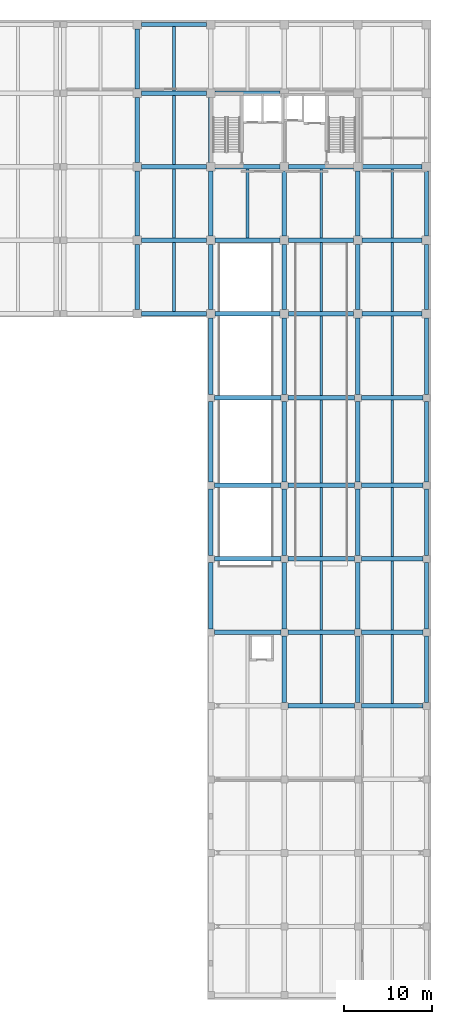
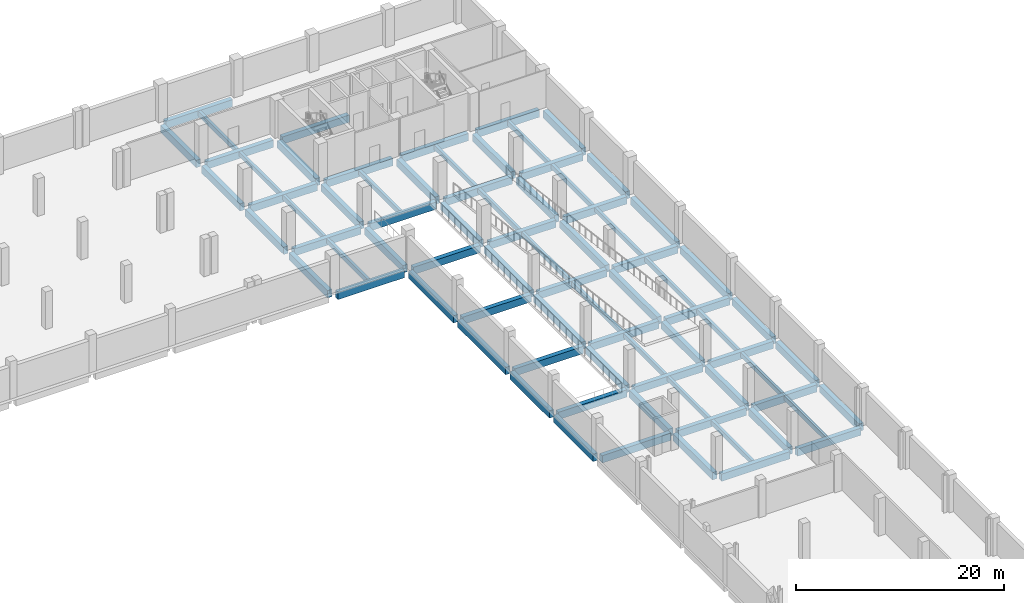
# One storey, part 7 of 17: 80 beams.
"""IFC4 building model written with IfcOpenShell, lengths in metres."""

from ifc_helpers import new_model, si_unit, direction, frame, origin, origin_2d, place, context, subcontext, project, spatial, rectangle, extrude, material, material_profile, profile_set, type_object, element, save


model = new_model("IFC4")

# Units and contexts
model_context = context("Model", 3, precision=1e-05, world=origin(), true_north=direction((0.0, 1.0)))
body_context = subcontext(model_context, "Body", "Model", "MODEL_VIEW")
ifc_project = project(units=[si_unit("LENGTHUNIT", "METRE"), si_unit("AREAUNIT", "SQUARE_METRE"), si_unit("VOLUMEUNIT", "CUBIC_METRE"), si_unit("PLANEANGLEUNIT", "RADIAN"), si_unit("MASSUNIT", "GRAM", prefix="KILO")], contexts=[model_context])

# Site, building, storey
site_placement = place(None, origin())
site = spatial("IfcSite", under=ifc_project, at=site_placement, CompositionType="ELEMENT")
building_placement = place(site_placement, origin())
building = spatial("IfcBuilding", under=site, at=building_placement, Name="Brinegate Botanical Conservatory", CompositionType="ELEMENT")
storey_placement = place(building_placement, frame((0.0, 0.0, -4.800048828125)))
storey = spatial("IfcBuildingStorey", under=building, at=storey_placement, Name="B1", CompositionType="ELEMENT", Elevation=-4.800048828125)

# Beams
ifc_material = material(Name="Concrete C40/50", Category="concrete")
ifc_material_profile_1 = material_profile(ifc_material, rectangle(XDim=0.5, YDim=0.85009765625, at=origin_2d()), Name="RC BM 500x850")
ifc_profile_set_1 = profile_set([ifc_material_profile_1], Name="Concrete C40/50")
beam_type_1 = type_object("IfcBeamType", Name="Beam_BM-B1", PredefinedType="BEAM", material=ifc_profile_set_1)
beam_1_placement = place(storey_placement, frame((147.60009765625, 33.60009765625, -0.744873046875), z_axis=(1.0, 0.0, 0.0), x_axis=(0.0, 1.0, 0.0)))
element("IfcBeam", 1, at=beam_1_placement, inside=storey, type_object=beam_type_1, Name="Beam BM-B1 B1 E:19-20", PredefinedType="BEAM", context=body_context, shape_type="SweptSolid", body=[
    extrude(rectangle(XDim=0.5, YDim=0.85009765625, at=origin_2d()), origin(), (0.0, 0.0, 1.0), 7.599853515625),
])
beam_2_placement = place(storey_placement, frame((156.0, 33.60009765625, -0.744873046875), z_axis=(1.0, 0.0, 0.0), x_axis=(0.0, 1.0, 0.0)))
element("IfcBeam", 2, at=beam_2_placement, inside=storey, type_object=beam_type_1, Name="Beam BM-B1 B1 E:20-21", PredefinedType="BEAM", context=body_context, shape_type="SweptSolid", body=[
    extrude(rectangle(XDim=0.5, YDim=0.85009765625, at=origin_2d()), origin(), (0.0, 0.0, 1.0), 7.050048828125),
])
beam_3_placement = place(storey_placement, frame((139.199951171875, 42.0, -0.744873046875), z_axis=(1.0, 0.0, 0.0), x_axis=(0.0, 1.0, 0.0)))
element("IfcBeam", 3, at=beam_3_placement, inside=storey, type_object=beam_type_1, Name="Beam BM-B1 B1 F:18-19", PredefinedType="BEAM", context=body_context, shape_type="SweptSolid", body=[
    extrude(rectangle(XDim=0.5, YDim=0.85009765625, at=origin_2d()), origin(), (0.0, 0.0, 1.0), 7.60009765625),
])
beam_4_placement = place(storey_placement, frame((147.60009765625, 42.0, -0.744873046875), z_axis=(1.0, 0.0, 0.0), x_axis=(0.0, 1.0, 0.0)))
element("IfcBeam", 4, at=beam_4_placement, inside=storey, type_object=beam_type_1, Name="Beam BM-B1 B1 F:19-20", PredefinedType="BEAM", context=body_context, shape_type="SweptSolid", body=[
    extrude(rectangle(XDim=0.5, YDim=0.85009765625, at=origin_2d()), origin(), (0.0, 0.0, 1.0), 7.599853515625),
])
beam_5_placement = place(storey_placement, frame((156.0, 42.0, -0.744873046875), z_axis=(1.0, 0.0, 0.0), x_axis=(0.0, 1.0, 0.0)))
element("IfcBeam", 5, at=beam_5_placement, inside=storey, type_object=beam_type_1, Name="Beam BM-B1 B1 F:20-21", PredefinedType="BEAM", context=body_context, shape_type="SweptSolid", body=[
    extrude(rectangle(XDim=0.5, YDim=0.85009765625, at=origin_2d()), origin(), (0.0, 0.0, 1.0), 7.050048828125),
])
beam_6_placement = place(storey_placement, frame((139.199951171875, 50.39990234375, -0.744873046875), z_axis=(1.0, 0.0, 0.0), x_axis=(0.0, 1.0, 0.0)))
element("IfcBeam", 6, at=beam_6_placement, inside=storey, type_object=beam_type_1, Name="Beam BM-B1 B1 G:18-19", PredefinedType="BEAM", context=body_context, shape_type="SweptSolid", body=[
    extrude(rectangle(XDim=0.5, YDim=0.85009765625, at=origin_2d()), origin(), (0.0, 0.0, 1.0), 7.60009765625),
])
beam_7_placement = place(storey_placement, frame((147.60009765625, 50.39990234375, -0.744873046875), z_axis=(1.0, 0.0, 0.0), x_axis=(0.0, 1.0, 0.0)))
element("IfcBeam", 7, at=beam_7_placement, inside=storey, type_object=beam_type_1, Name="Beam BM-B1 B1 G:19-20", PredefinedType="BEAM", context=body_context, shape_type="SweptSolid", body=[
    extrude(rectangle(XDim=0.5, YDim=0.85009765625, at=origin_2d()), origin(), (0.0, 0.0, 1.0), 7.599853515625),
])
beam_8_placement = place(storey_placement, frame((156.0, 50.39990234375, -0.744873046875), z_axis=(1.0, 0.0, 0.0), x_axis=(0.0, 1.0, 0.0)))
element("IfcBeam", 8, at=beam_8_placement, inside=storey, type_object=beam_type_1, Name="Beam BM-B1 B1 G:20-21", PredefinedType="BEAM", context=body_context, shape_type="SweptSolid", body=[
    extrude(rectangle(XDim=0.5, YDim=0.85009765625, at=origin_2d()), origin(), (0.0, 0.0, 1.0), 7.050048828125),
])
beam_9_placement = place(storey_placement, frame((139.199951171875, 58.800048828125, -0.744873046875), z_axis=(1.0, 0.0, 0.0), x_axis=(0.0, 1.0, 0.0)))
element("IfcBeam", 9, at=beam_9_placement, inside=storey, type_object=beam_type_1, Name="Beam BM-B1 B1 H:18-19", PredefinedType="BEAM", context=body_context, shape_type="SweptSolid", body=[
    extrude(rectangle(XDim=0.5, YDim=0.85009765625, at=origin_2d()), origin(), (0.0, 0.0, 1.0), 7.60009765625),
])
beam_10_placement = place(storey_placement, frame((147.60009765625, 58.800048828125, -0.744873046875), z_axis=(1.0, 0.0, 0.0), x_axis=(0.0, 1.0, 0.0)))
element("IfcBeam", 10, at=beam_10_placement, inside=storey, type_object=beam_type_1, Name="Beam BM-B1 B1 H:19-20", PredefinedType="BEAM", context=body_context, shape_type="SweptSolid", body=[
    extrude(rectangle(XDim=0.5, YDim=0.85009765625, at=origin_2d()), origin(), (0.0, 0.0, 1.0), 7.599853515625),
])
beam_11_placement = place(storey_placement, frame((156.0, 58.800048828125, -0.744873046875), z_axis=(1.0, 0.0, 0.0), x_axis=(0.0, 1.0, 0.0)))
element("IfcBeam", 11, at=beam_11_placement, inside=storey, type_object=beam_type_1, Name="Beam BM-B1 B1 H:20-21", PredefinedType="BEAM", context=body_context, shape_type="SweptSolid", body=[
    extrude(rectangle(XDim=0.5, YDim=0.85009765625, at=origin_2d()), origin(), (0.0, 0.0, 1.0), 7.050048828125),
])
beam_12_placement = place(storey_placement, frame((139.199951171875, 68.800048828125, -0.744873046875), z_axis=(1.0, 0.0, 0.0), x_axis=(0.0, 1.0, 0.0)))
element("IfcBeam", 12, at=beam_12_placement, inside=storey, type_object=beam_type_1, Name="Beam BM-B1 B1 J:18-19", PredefinedType="BEAM", context=body_context, shape_type="SweptSolid", body=[
    extrude(rectangle(XDim=0.5, YDim=0.85009765625, at=origin_2d()), origin(), (0.0, 0.0, 1.0), 7.60009765625),
])
beam_13_placement = place(storey_placement, frame((147.60009765625, 68.800048828125, -0.744873046875), z_axis=(1.0, 0.0, 0.0), x_axis=(0.0, 1.0, 0.0)))
element("IfcBeam", 13, at=beam_13_placement, inside=storey, type_object=beam_type_1, Name="Beam BM-B1 B1 J:19-20", PredefinedType="BEAM", context=body_context, shape_type="SweptSolid", body=[
    extrude(rectangle(XDim=0.5, YDim=0.85009765625, at=origin_2d()), origin(), (0.0, 0.0, 1.0), 7.599853515625),
])
beam_14_placement = place(storey_placement, frame((156.0, 68.800048828125, -0.744873046875), z_axis=(1.0, 0.0, 0.0), x_axis=(0.0, 1.0, 0.0)))
element("IfcBeam", 14, at=beam_14_placement, inside=storey, type_object=beam_type_1, Name="Beam BM-B1 B1 J:20-21", PredefinedType="BEAM", context=body_context, shape_type="SweptSolid", body=[
    extrude(rectangle(XDim=0.5, YDim=0.85009765625, at=origin_2d()), origin(), (0.0, 0.0, 1.0), 7.050048828125),
])
beam_15_placement = place(storey_placement, frame((130.89990234375, 78.39990234375, -0.744873046875), z_axis=(1.0, 0.0, 0.0), x_axis=(0.0, 1.0, 0.0)))
element("IfcBeam", 15, at=beam_15_placement, inside=storey, type_object=beam_type_1, Name="Beam BM-B1 B1 K:17-18", PredefinedType="BEAM", context=body_context, shape_type="SweptSolid", body=[
    extrude(rectangle(XDim=0.5, YDim=0.85009765625, at=origin_2d()), origin(), (0.0, 0.0, 1.0), 7.400146484375),
])
beam_16_placement = place(storey_placement, frame((139.300048828125, 78.39990234375, -0.744873046875), z_axis=(1.0, 0.0, 0.0), x_axis=(0.0, 1.0, 0.0)))
element("IfcBeam", 16, at=beam_16_placement, inside=storey, type_object=beam_type_1, Name="Beam BM-B1 B1 K:18-19", PredefinedType="BEAM", context=body_context, shape_type="SweptSolid", body=[
    extrude(rectangle(XDim=0.5, YDim=0.85009765625, at=origin_2d()), origin(), (0.0, 0.0, 1.0), 7.39990234375),
])
beam_17_placement = place(storey_placement, frame((147.699951171875, 78.39990234375, -0.744873046875), z_axis=(1.0, 0.0, 0.0), x_axis=(0.0, 1.0, 0.0)))
element("IfcBeam", 17, at=beam_17_placement, inside=storey, type_object=beam_type_1, Name="Beam BM-B1 B1 K:19-20", PredefinedType="BEAM", context=body_context, shape_type="SweptSolid", body=[
    extrude(rectangle(XDim=0.5, YDim=0.85009765625, at=origin_2d()), origin(), (0.0, 0.0, 1.0), 7.400146484375),
])
beam_18_placement = place(storey_placement, frame((156.10009765625, 78.39990234375, -0.744873046875), z_axis=(1.0, 0.0, 0.0), x_axis=(0.0, 1.0, 0.0)))
element("IfcBeam", 18, at=beam_18_placement, inside=storey, type_object=beam_type_1, Name="Beam BM-B1 B1 K:20-21", PredefinedType="BEAM", context=body_context, shape_type="SweptSolid", body=[
    extrude(rectangle(XDim=0.5, YDim=0.85009765625, at=origin_2d()), origin(), (0.0, 0.0, 1.0), 6.849853515625),
])
beam_19_placement = place(storey_placement, frame((130.89990234375, 86.800048828125, -0.744873046875), z_axis=(1.0, 0.0, 0.0), x_axis=(0.0, 1.0, 0.0)))
element("IfcBeam", 19, at=beam_19_placement, inside=storey, type_object=beam_type_1, Name="Beam BM-B1 B1 L:17-18", PredefinedType="BEAM", context=body_context, shape_type="SweptSolid", body=[
    extrude(rectangle(XDim=0.5, YDim=0.85009765625, at=origin_2d()), origin(), (0.0, 0.0, 1.0), 7.400146484375),
])
beam_20_placement = place(storey_placement, frame((139.300048828125, 86.800048828125, -0.744873046875), z_axis=(1.0, 0.0, 0.0), x_axis=(0.0, 1.0, 0.0)))
element("IfcBeam", 20, at=beam_20_placement, inside=storey, type_object=beam_type_1, Name="Beam BM-B1 B1 L:18-19", PredefinedType="BEAM", context=body_context, shape_type="SweptSolid", body=[
    extrude(rectangle(XDim=0.5, YDim=0.85009765625, at=origin_2d()), origin(), (0.0, 0.0, 1.0), 7.39990234375),
])
beam_21_placement = place(storey_placement, frame((147.699951171875, 86.800048828125, -0.744873046875), z_axis=(1.0, 0.0, 0.0), x_axis=(0.0, 1.0, 0.0)))
element("IfcBeam", 21, at=beam_21_placement, inside=storey, type_object=beam_type_1, Name="Beam BM-B1 B1 L:19-20", PredefinedType="BEAM", context=body_context, shape_type="SweptSolid", body=[
    extrude(rectangle(XDim=0.5, YDim=0.85009765625, at=origin_2d()), origin(), (0.0, 0.0, 1.0), 7.400146484375),
])
beam_22_placement = place(storey_placement, frame((156.10009765625, 86.800048828125, -0.744873046875), z_axis=(1.0, 0.0, 0.0), x_axis=(0.0, 1.0, 0.0)))
element("IfcBeam", 22, at=beam_22_placement, inside=storey, type_object=beam_type_1, Name="Beam BM-B1 B1 L:20-21", PredefinedType="BEAM", context=body_context, shape_type="SweptSolid", body=[
    extrude(rectangle(XDim=0.5, YDim=0.85009765625, at=origin_2d()), origin(), (0.0, 0.0, 1.0), 6.849853515625),
])
beam_23_placement = place(storey_placement, frame((130.89990234375, 95.199951171875, -0.744873046875), z_axis=(1.0, 0.0, 0.0), x_axis=(0.0, 1.0, 0.0)))
element("IfcBeam", 23, at=beam_23_placement, inside=storey, type_object=beam_type_1, Name="Beam BM-B1 B1 M:17-18", PredefinedType="BEAM", context=body_context, shape_type="SweptSolid", body=[
    extrude(rectangle(XDim=0.5, YDim=0.85009765625, at=origin_2d()), origin(), (0.0, 0.0, 1.0), 7.400146484375),
])
beam_24_placement = place(storey_placement, frame((139.300048828125, 95.199951171875, -0.744873046875), z_axis=(1.0, 0.0, 0.0), x_axis=(0.0, 1.0, 0.0)))
element("IfcBeam", 24, at=beam_24_placement, inside=storey, type_object=beam_type_1, Name="Beam BM-B1 B1 M:18-19", PredefinedType="BEAM", context=body_context, shape_type="SweptSolid", body=[
    extrude(rectangle(XDim=0.5, YDim=0.85009765625, at=origin_2d()), origin(), (0.0, 0.0, 1.0), 7.39990234375),
])
beam_25_placement = place(storey_placement, frame((147.699951171875, 95.199951171875, -0.744873046875), z_axis=(1.0, 0.0, 0.0), x_axis=(0.0, 1.0, 0.0)))
element("IfcBeam", 25, at=beam_25_placement, inside=storey, type_object=beam_type_1, Name="Beam BM-B1 B1 M:19-20", PredefinedType="BEAM", context=body_context, shape_type="SweptSolid", body=[
    extrude(rectangle(XDim=0.5, YDim=0.85009765625, at=origin_2d()), origin(), (0.0, 0.0, 1.0), 7.400146484375),
])
beam_26_placement = place(storey_placement, frame((156.10009765625, 95.199951171875, -0.744873046875), z_axis=(1.0, 0.0, 0.0), x_axis=(0.0, 1.0, 0.0)))
element("IfcBeam", 26, at=beam_26_placement, inside=storey, type_object=beam_type_1, Name="Beam BM-B1 B1 M:20-21", PredefinedType="BEAM", context=body_context, shape_type="SweptSolid", body=[
    extrude(rectangle(XDim=0.5, YDim=0.85009765625, at=origin_2d()), origin(), (0.0, 0.0, 1.0), 6.849853515625),
])
beam_27_placement = place(storey_placement, frame((130.89990234375, 103.60009765625, -0.744873046875), z_axis=(1.0, 0.0, 0.0), x_axis=(0.0, 1.0, 0.0)))
element("IfcBeam", 27, at=beam_27_placement, inside=storey, type_object=beam_type_1, Name="Beam BM-B1 B1 N:17-18", PredefinedType="BEAM", context=body_context, shape_type="SweptSolid", body=[
    extrude(rectangle(XDim=0.5, YDim=0.85009765625, at=origin_2d()), origin(), (0.0, 0.0, 1.0), 7.400146484375),
])
beam_28_placement = place(storey_placement, frame((139.300048828125, 103.60009765625, -0.744873046875), z_axis=(1.0, 0.0, 0.0), x_axis=(0.0, 1.0, 0.0)))
element("IfcBeam", 28, at=beam_28_placement, inside=storey, type_object=beam_type_1, Name="Beam BM-B1 B1 N:18-19", PredefinedType="BEAM", context=body_context, shape_type="SweptSolid", body=[
    extrude(rectangle(XDim=0.5, YDim=0.85009765625, at=origin_2d()), origin(), (0.0, 0.0, 1.0), 7.39990234375),
])
for number, where, z_axis, x_axis, name in (
    (29, (130.89990234375, 111.449951171875, -0.744873046875), (1.0, 0.0, 0.0), (0.0, 1.0, 0.0), "Beam BM-B1 B1 P:17-18"),
    (30, (130.39990234375, 78.89990234375, -0.744873046875), (0.0, 1.0, 0.0), (-1.0, 0.0, 0.0), "Beam BM-B1 B1 17:K-L"),
):
    element("IfcBeam", number, at=place(storey_placement, frame(where, z_axis=z_axis, x_axis=x_axis)), inside=storey, type_object=beam_type_1, Name=name, PredefinedType="BEAM", context=body_context, shape_type="SweptSolid", body=[
        extrude(rectangle(XDim=0.5, YDim=0.85009765625, at=origin_2d()), origin(), (0.0, 0.0, 1.0), 7.400146484375),
    ])
beam_29_placement = place(storey_placement, frame((130.39990234375, 87.300048828125, -0.744873046875), z_axis=(0.0, 1.0, 0.0), x_axis=(-1.0, 0.0, 0.0)))
element("IfcBeam", 31, at=beam_29_placement, inside=storey, type_object=beam_type_1, Name="Beam BM-B1 B1 17:L-M", PredefinedType="BEAM", context=body_context, shape_type="SweptSolid", body=[
    extrude(rectangle(XDim=0.5, YDim=0.85009765625, at=origin_2d()), origin(), (0.0, 0.0, 1.0), 7.39990234375),
])
beam_30_placement = place(storey_placement, frame((130.39990234375, 95.699951171875, -0.744873046875), z_axis=(0.0, 1.0, 0.0), x_axis=(-1.0, 0.0, 0.0)))
element("IfcBeam", 32, at=beam_30_placement, inside=storey, type_object=beam_type_1, Name="Beam BM-B1 B1 17:M-N", PredefinedType="BEAM", context=body_context, shape_type="SweptSolid", body=[
    extrude(rectangle(XDim=0.5, YDim=0.85009765625, at=origin_2d()), origin(), (0.0, 0.0, 1.0), 7.400146484375),
])
beam_31_placement = place(storey_placement, frame((130.39990234375, 104.10009765625, -0.744873046875), z_axis=(0.0, 1.0, 0.0), x_axis=(-1.0, 0.0, 0.0)))
element("IfcBeam", 33, at=beam_31_placement, inside=storey, type_object=beam_type_1, Name="Beam BM-B1 B1 17:N-P", PredefinedType="BEAM", context=body_context, shape_type="SweptSolid", body=[
    extrude(rectangle(XDim=0.5, YDim=0.85009765625, at=origin_2d()), origin(), (0.0, 0.0, 1.0), 6.849853515625),
])
beam_32_placement = place(storey_placement, frame((138.800048828125, 42.39990234375, -0.744873046875), z_axis=(0.0, 1.0, 0.0), x_axis=(-1.0, 0.0, 0.0)))
element("IfcBeam", 34, at=beam_32_placement, inside=storey, type_object=beam_type_1, Name="Beam BM-B1 B1 18:F-G", PredefinedType="BEAM", context=body_context, shape_type="SweptSolid", body=[
    extrude(rectangle(XDim=0.5, YDim=0.85009765625, at=origin_2d()), origin(), (0.0, 0.0, 1.0), 7.60009765625),
])
beam_33_placement = place(storey_placement, frame((138.800048828125, 50.800048828125, -0.744873046875), z_axis=(0.0, 1.0, 0.0), x_axis=(-1.0, 0.0, 0.0)))
element("IfcBeam", 35, at=beam_33_placement, inside=storey, type_object=beam_type_1, Name="Beam BM-B1 B1 18:G-H", PredefinedType="BEAM", context=body_context, shape_type="SweptSolid", body=[
    extrude(rectangle(XDim=0.5, YDim=0.85009765625, at=origin_2d()), origin(), (0.0, 0.0, 1.0), 7.599853515625),
])
beam_34_placement = place(storey_placement, frame((138.800048828125, 59.199951171875, -0.744873046875), z_axis=(0.0, 1.0, 0.0), x_axis=(-1.0, 0.0, 0.0)))
element("IfcBeam", 36, at=beam_34_placement, inside=storey, type_object=beam_type_1, Name="Beam BM-B1 B1 18:H-J", PredefinedType="BEAM", context=body_context, shape_type="SweptSolid", body=[
    extrude(rectangle(XDim=0.5, YDim=0.85009765625, at=origin_2d()), origin(), (0.0, 0.0, 1.0), 9.199951171875),
])
beam_35_placement = place(storey_placement, frame((138.800048828125, 69.199951171875, -0.744873046875), z_axis=(0.0, 1.0, 0.0), x_axis=(-1.0, 0.0, 0.0)))
element("IfcBeam", 37, at=beam_35_placement, inside=storey, type_object=beam_type_1, Name="Beam BM-B1 B1 18:J-K", PredefinedType="BEAM", context=body_context, shape_type="SweptSolid", body=[
    extrude(rectangle(XDim=0.5, YDim=0.85009765625, at=origin_2d()), origin(), (0.0, 0.0, 1.0), 8.699951171875),
])
beam_36_placement = place(storey_placement, frame((138.800048828125, 78.89990234375, -0.744873046875), z_axis=(0.0, 1.0, 0.0), x_axis=(-1.0, 0.0, 0.0)))
element("IfcBeam", 38, at=beam_36_placement, inside=storey, type_object=beam_type_1, Name="Beam BM-B1 B1 18:K-L", PredefinedType="BEAM", context=body_context, shape_type="SweptSolid", body=[
    extrude(rectangle(XDim=0.5, YDim=0.85009765625, at=origin_2d()), origin(), (0.0, 0.0, 1.0), 7.400146484375),
])
beam_37_placement = place(storey_placement, frame((138.800048828125, 87.300048828125, -0.744873046875), z_axis=(0.0, 1.0, 0.0), x_axis=(-1.0, 0.0, 0.0)))
element("IfcBeam", 39, at=beam_37_placement, inside=storey, type_object=beam_type_1, Name="Beam BM-B1 B1 18:L-M", PredefinedType="BEAM", context=body_context, shape_type="SweptSolid", body=[
    extrude(rectangle(XDim=0.5, YDim=0.85009765625, at=origin_2d()), origin(), (0.0, 0.0, 1.0), 7.39990234375),
])
beam_38_placement = place(storey_placement, frame((138.800048828125, 95.699951171875, -0.744873046875), z_axis=(0.0, 1.0, 0.0), x_axis=(-1.0, 0.0, 0.0)))
element("IfcBeam", 40, at=beam_38_placement, inside=storey, type_object=beam_type_1, Name="Beam BM-B1 B1 18:M-N", PredefinedType="BEAM", context=body_context, shape_type="SweptSolid", body=[
    extrude(rectangle(XDim=0.5, YDim=0.85009765625, at=origin_2d()), origin(), (0.0, 0.0, 1.0), 7.400146484375),
])
for number, where, z_axis, x_axis, name in (
    (41, (147.199951171875, 34.0, -0.744873046875), (0.0, 1.0, 0.0), (-1.0, 0.0, 0.0), "Beam BM-B1 B1 19:E-F"),
    (42, (147.199951171875, 42.39990234375, -0.744873046875), (0.0, 1.0, 0.0), (-1.0, 0.0, 0.0), "Beam BM-B1 B1 19:F-G"),
):
    element("IfcBeam", number, at=place(storey_placement, frame(where, z_axis=z_axis, x_axis=x_axis)), inside=storey, type_object=beam_type_1, Name=name, PredefinedType="BEAM", context=body_context, shape_type="SweptSolid", body=[
        extrude(rectangle(XDim=0.5, YDim=0.85009765625, at=origin_2d()), origin(), (0.0, 0.0, 1.0), 7.60009765625),
    ])
beam_39_placement = place(storey_placement, frame((147.199951171875, 50.800048828125, -0.744873046875), z_axis=(0.0, 1.0, 0.0), x_axis=(-1.0, 0.0, 0.0)))
element("IfcBeam", 43, at=beam_39_placement, inside=storey, type_object=beam_type_1, Name="Beam BM-B1 B1 19:G-H", PredefinedType="BEAM", context=body_context, shape_type="SweptSolid", body=[
    extrude(rectangle(XDim=0.5, YDim=0.85009765625, at=origin_2d()), origin(), (0.0, 0.0, 1.0), 7.599853515625),
])
beam_40_placement = place(storey_placement, frame((147.199951171875, 59.199951171875, -0.744873046875), z_axis=(0.0, 1.0, 0.0), x_axis=(-1.0, 0.0, 0.0)))
element("IfcBeam", 44, at=beam_40_placement, inside=storey, type_object=beam_type_1, Name="Beam BM-B1 B1 19:H-J", PredefinedType="BEAM", context=body_context, shape_type="SweptSolid", body=[
    extrude(rectangle(XDim=0.5, YDim=0.85009765625, at=origin_2d()), origin(), (0.0, 0.0, 1.0), 9.199951171875),
])
beam_41_placement = place(storey_placement, frame((147.199951171875, 69.199951171875, -0.744873046875), z_axis=(0.0, 1.0, 0.0), x_axis=(-1.0, 0.0, 0.0)))
element("IfcBeam", 45, at=beam_41_placement, inside=storey, type_object=beam_type_1, Name="Beam BM-B1 B1 19:J-K", PredefinedType="BEAM", context=body_context, shape_type="SweptSolid", body=[
    extrude(rectangle(XDim=0.5, YDim=0.85009765625, at=origin_2d()), origin(), (0.0, 0.0, 1.0), 8.699951171875),
])
beam_42_placement = place(storey_placement, frame((147.199951171875, 78.89990234375, -0.744873046875), z_axis=(0.0, 1.0, 0.0), x_axis=(-1.0, 0.0, 0.0)))
element("IfcBeam", 46, at=beam_42_placement, inside=storey, type_object=beam_type_1, Name="Beam BM-B1 B1 19:K-L", PredefinedType="BEAM", context=body_context, shape_type="SweptSolid", body=[
    extrude(rectangle(XDim=0.5, YDim=0.85009765625, at=origin_2d()), origin(), (0.0, 0.0, 1.0), 7.400146484375),
])
beam_43_placement = place(storey_placement, frame((147.199951171875, 87.300048828125, -0.744873046875), z_axis=(0.0, 1.0, 0.0), x_axis=(-1.0, 0.0, 0.0)))
element("IfcBeam", 47, at=beam_43_placement, inside=storey, type_object=beam_type_1, Name="Beam BM-B1 B1 19:L-M", PredefinedType="BEAM", context=body_context, shape_type="SweptSolid", body=[
    extrude(rectangle(XDim=0.5, YDim=0.85009765625, at=origin_2d()), origin(), (0.0, 0.0, 1.0), 7.39990234375),
])
for number, where, z_axis, x_axis, name in (
    (48, (155.60009765625, 34.0, -0.744873046875), (0.0, 1.0, 0.0), (-1.0, 0.0, 0.0), "Beam BM-B1 B1 20:E-F"),
    (49, (155.60009765625, 42.39990234375, -0.744873046875), (0.0, 1.0, 0.0), (-1.0, 0.0, 0.0), "Beam BM-B1 B1 20:F-G"),
):
    element("IfcBeam", number, at=place(storey_placement, frame(where, z_axis=z_axis, x_axis=x_axis)), inside=storey, type_object=beam_type_1, Name=name, PredefinedType="BEAM", context=body_context, shape_type="SweptSolid", body=[
        extrude(rectangle(XDim=0.5, YDim=0.85009765625, at=origin_2d()), origin(), (0.0, 0.0, 1.0), 7.60009765625),
    ])
beam_44_placement = place(storey_placement, frame((155.60009765625, 50.800048828125, -0.744873046875), z_axis=(0.0, 1.0, 0.0), x_axis=(-1.0, 0.0, 0.0)))
element("IfcBeam", 50, at=beam_44_placement, inside=storey, type_object=beam_type_1, Name="Beam BM-B1 B1 20:G-H", PredefinedType="BEAM", context=body_context, shape_type="SweptSolid", body=[
    extrude(rectangle(XDim=0.5, YDim=0.85009765625, at=origin_2d()), origin(), (0.0, 0.0, 1.0), 7.599853515625),
])
beam_45_placement = place(storey_placement, frame((155.60009765625, 59.199951171875, -0.744873046875), z_axis=(0.0, 1.0, 0.0), x_axis=(-1.0, 0.0, 0.0)))
element("IfcBeam", 51, at=beam_45_placement, inside=storey, type_object=beam_type_1, Name="Beam BM-B1 B1 20:H-J", PredefinedType="BEAM", context=body_context, shape_type="SweptSolid", body=[
    extrude(rectangle(XDim=0.5, YDim=0.85009765625, at=origin_2d()), origin(), (0.0, 0.0, 1.0), 9.199951171875),
])
beam_46_placement = place(storey_placement, frame((155.60009765625, 69.199951171875, -0.744873046875), z_axis=(0.0, 1.0, 0.0), x_axis=(-1.0, 0.0, 0.0)))
element("IfcBeam", 52, at=beam_46_placement, inside=storey, type_object=beam_type_1, Name="Beam BM-B1 B1 20:J-K", PredefinedType="BEAM", context=body_context, shape_type="SweptSolid", body=[
    extrude(rectangle(XDim=0.5, YDim=0.85009765625, at=origin_2d()), origin(), (0.0, 0.0, 1.0), 8.699951171875),
])
beam_47_placement = place(storey_placement, frame((155.60009765625, 78.89990234375, -0.744873046875), z_axis=(0.0, 1.0, 0.0), x_axis=(-1.0, 0.0, 0.0)))
element("IfcBeam", 53, at=beam_47_placement, inside=storey, type_object=beam_type_1, Name="Beam BM-B1 B1 20:K-L", PredefinedType="BEAM", context=body_context, shape_type="SweptSolid", body=[
    extrude(rectangle(XDim=0.5, YDim=0.85009765625, at=origin_2d()), origin(), (0.0, 0.0, 1.0), 7.400146484375),
])
beam_48_placement = place(storey_placement, frame((155.60009765625, 87.300048828125, -0.744873046875), z_axis=(0.0, 1.0, 0.0), x_axis=(-1.0, 0.0, 0.0)))
element("IfcBeam", 54, at=beam_48_placement, inside=storey, type_object=beam_type_1, Name="Beam BM-B1 B1 20:L-M", PredefinedType="BEAM", context=body_context, shape_type="SweptSolid", body=[
    extrude(rectangle(XDim=0.5, YDim=0.85009765625, at=origin_2d()), origin(), (0.0, 0.0, 1.0), 7.39990234375),
])
for number, where, z_axis, x_axis, name in (
    (55, (163.449951171875, 34.0, -0.744873046875), (0.0, 1.0, 0.0), (-1.0, 0.0, 0.0), "Beam BM-B1 B1 21:E-F"),
    (56, (163.449951171875, 42.39990234375, -0.744873046875), (0.0, 1.0, 0.0), (-1.0, 0.0, 0.0), "Beam BM-B1 B1 21:F-G"),
):
    element("IfcBeam", number, at=place(storey_placement, frame(where, z_axis=z_axis, x_axis=x_axis)), inside=storey, type_object=beam_type_1, Name=name, PredefinedType="BEAM", context=body_context, shape_type="SweptSolid", body=[
        extrude(rectangle(XDim=0.5, YDim=0.85009765625, at=origin_2d()), origin(), (0.0, 0.0, 1.0), 7.60009765625),
    ])
beam_49_placement = place(storey_placement, frame((163.449951171875, 50.800048828125, -0.744873046875), z_axis=(0.0, 1.0, 0.0), x_axis=(-1.0, 0.0, 0.0)))
element("IfcBeam", 57, at=beam_49_placement, inside=storey, type_object=beam_type_1, Name="Beam BM-B1 B1 21:G-H", PredefinedType="BEAM", context=body_context, shape_type="SweptSolid", body=[
    extrude(rectangle(XDim=0.5, YDim=0.85009765625, at=origin_2d()), origin(), (0.0, 0.0, 1.0), 7.599853515625),
])
beam_50_placement = place(storey_placement, frame((163.449951171875, 59.199951171875, -0.744873046875), z_axis=(0.0, 1.0, 0.0), x_axis=(-1.0, 0.0, 0.0)))
element("IfcBeam", 58, at=beam_50_placement, inside=storey, type_object=beam_type_1, Name="Beam BM-B1 B1 21:H-J", PredefinedType="BEAM", context=body_context, shape_type="SweptSolid", body=[
    extrude(rectangle(XDim=0.5, YDim=0.85009765625, at=origin_2d()), origin(), (0.0, 0.0, 1.0), 9.199951171875),
])
beam_51_placement = place(storey_placement, frame((163.449951171875, 69.199951171875, -0.744873046875), z_axis=(0.0, 1.0, 0.0), x_axis=(-1.0, 0.0, 0.0)))
element("IfcBeam", 59, at=beam_51_placement, inside=storey, type_object=beam_type_1, Name="Beam BM-B1 B1 21:J-K", PredefinedType="BEAM", context=body_context, shape_type="SweptSolid", body=[
    extrude(rectangle(XDim=0.5, YDim=0.85009765625, at=origin_2d()), origin(), (0.0, 0.0, 1.0), 8.699951171875),
])
beam_52_placement = place(storey_placement, frame((163.449951171875, 78.89990234375, -0.744873046875), z_axis=(0.0, 1.0, 0.0), x_axis=(-1.0, 0.0, 0.0)))
element("IfcBeam", 60, at=beam_52_placement, inside=storey, type_object=beam_type_1, Name="Beam BM-B1 B1 21:K-L", PredefinedType="BEAM", context=body_context, shape_type="SweptSolid", body=[
    extrude(rectangle(XDim=0.5, YDim=0.85009765625, at=origin_2d()), origin(), (0.0, 0.0, 1.0), 7.400146484375),
])
beam_53_placement = place(storey_placement, frame((163.449951171875, 87.300048828125, -0.744873046875), z_axis=(0.0, 1.0, 0.0), x_axis=(-1.0, 0.0, 0.0)))
element("IfcBeam", 61, at=beam_53_placement, inside=storey, type_object=beam_type_1, Name="Beam BM-B1 B1 21:L-M", PredefinedType="BEAM", context=body_context, shape_type="SweptSolid", body=[
    extrude(rectangle(XDim=0.5, YDim=0.85009765625, at=origin_2d()), origin(), (0.0, 0.0, 1.0), 7.39990234375),
])
ifc_material_profile_2 = material_profile(ifc_material, rectangle(XDim=0.300048828125, YDim=0.550048828125, at=origin_2d()), Name="RC JST 300x550")
ifc_profile_set_2 = profile_set([ifc_material_profile_2], Name="Concrete C40/50")
beam_type_2 = type_object("IfcBeamType", Name="Beam_JS-C1", PredefinedType="JOIST", material=ifc_profile_set_2)
beam_54_placement = place(storey_placement, frame((134.60009765625, 78.64990234375, -0.594970703125), z_axis=(0.0, 1.0, 0.0), x_axis=(-1.0, 0.0, 0.0)))
element("IfcBeam", 62, at=beam_54_placement, inside=storey, type_object=beam_type_2, Name="Floor joist JS-C1 B1 bay 17.10", PredefinedType="JOIST", context=body_context, shape_type="SweptSolid", body=[
    extrude(rectangle(XDim=0.300048828125, YDim=0.550048828125, at=origin_2d()), origin(), (0.0, 0.0, 1.0), 7.900146484375),
])
beam_55_placement = place(storey_placement, frame((134.60009765625, 87.050048828125, -0.594970703125), z_axis=(0.0, 1.0, 0.0), x_axis=(-1.0, 0.0, 0.0)))
element("IfcBeam", 63, at=beam_55_placement, inside=storey, type_object=beam_type_2, Name="Floor joist JS-C1 B1 bay 17.11", PredefinedType="JOIST", context=body_context, shape_type="SweptSolid", body=[
    extrude(rectangle(XDim=0.300048828125, YDim=0.550048828125, at=origin_2d()), origin(), (0.0, 0.0, 1.0), 7.89990234375),
])
beam_56_placement = place(storey_placement, frame((134.60009765625, 95.449951171875, -0.594970703125), z_axis=(0.0, 1.0, 0.0), x_axis=(-1.0, 0.0, 0.0)))
element("IfcBeam", 64, at=beam_56_placement, inside=storey, type_object=beam_type_2, Name="Floor joist JS-C1 B1 bay 17.12", PredefinedType="JOIST", context=body_context, shape_type="SweptSolid", body=[
    extrude(rectangle(XDim=0.300048828125, YDim=0.550048828125, at=origin_2d()), origin(), (0.0, 0.0, 1.0), 7.900146484375),
])
beam_57_placement = place(storey_placement, frame((134.60009765625, 103.85009765625, -0.594970703125), z_axis=(0.0, 1.0, 0.0), x_axis=(-1.0, 0.0, 0.0)))
element("IfcBeam", 65, at=beam_57_placement, inside=storey, type_object=beam_type_2, Name="Floor joist JS-C1 B1 bay 17.13", PredefinedType="JOIST", context=body_context, shape_type="SweptSolid", body=[
    extrude(rectangle(XDim=0.300048828125, YDim=0.550048828125, at=origin_2d()), origin(), (0.0, 0.0, 1.0), 7.349853515625),
])
for number, where, z_axis, x_axis, name in (
    (66, (143.0, 87.050048828125, -0.594970703125), (0.0, 1.0, 0.0), (-1.0, 0.0, 0.0), "Floor joist JS-C1 B1 bay 18.11"),
    (67, (151.39990234375, 33.85009765625, -0.594970703125), (0.0, 1.0, 0.0), (-1.0, 0.0, 0.0), "Floor joist JS-C1 B1 bay 19.5"),
    (68, (151.39990234375, 42.25, -0.594970703125), (0.0, 1.0, 0.0), (-1.0, 0.0, 0.0), "Floor joist JS-C1 B1 bay 19.6"),
):
    element("IfcBeam", number, at=place(storey_placement, frame(where, z_axis=z_axis, x_axis=x_axis)), inside=storey, type_object=beam_type_2, Name=name, PredefinedType="JOIST", context=body_context, shape_type="SweptSolid", body=[
        extrude(rectangle(XDim=0.300048828125, YDim=0.550048828125, at=origin_2d()), origin(), (0.0, 0.0, 1.0), 7.89990234375),
    ])
beam_58_placement = place(storey_placement, frame((151.39990234375, 50.64990234375, -0.594970703125), z_axis=(0.0, 1.0, 0.0), x_axis=(-1.0, 0.0, 0.0)))
element("IfcBeam", 69, at=beam_58_placement, inside=storey, type_object=beam_type_2, Name="Floor joist JS-C1 B1 bay 19.7", PredefinedType="JOIST", context=body_context, shape_type="SweptSolid", body=[
    extrude(rectangle(XDim=0.300048828125, YDim=0.550048828125, at=origin_2d()), origin(), (0.0, 0.0, 1.0), 7.900146484375),
])
beam_59_placement = place(storey_placement, frame((151.39990234375, 59.050048828125, -0.594970703125), z_axis=(0.0, 1.0, 0.0), x_axis=(-1.0, 0.0, 0.0)))
element("IfcBeam", 70, at=beam_59_placement, inside=storey, type_object=beam_type_2, Name="Floor joist JS-C1 B1 bay 19.8", PredefinedType="JOIST", context=body_context, shape_type="SweptSolid", body=[
    extrude(rectangle(XDim=0.300048828125, YDim=0.550048828125, at=origin_2d()), origin(), (0.0, 0.0, 1.0), 9.5),
])
beam_60_placement = place(storey_placement, frame((151.39990234375, 69.050048828125, -0.594970703125), z_axis=(0.0, 1.0, 0.0), x_axis=(-1.0, 0.0, 0.0)))
element("IfcBeam", 71, at=beam_60_placement, inside=storey, type_object=beam_type_2, Name="Floor joist JS-C1 B1 bay 19.9", PredefinedType="JOIST", context=body_context, shape_type="SweptSolid", body=[
    extrude(rectangle(XDim=0.300048828125, YDim=0.550048828125, at=origin_2d()), origin(), (0.0, 0.0, 1.0), 9.099853515625),
])
beam_61_placement = place(storey_placement, frame((151.39990234375, 78.64990234375, -0.594970703125), z_axis=(0.0, 1.0, 0.0), x_axis=(-1.0, 0.0, 0.0)))
element("IfcBeam", 72, at=beam_61_placement, inside=storey, type_object=beam_type_2, Name="Floor joist JS-C1 B1 bay 19.10", PredefinedType="JOIST", context=body_context, shape_type="SweptSolid", body=[
    extrude(rectangle(XDim=0.300048828125, YDim=0.550048828125, at=origin_2d()), origin(), (0.0, 0.0, 1.0), 7.900146484375),
])
for number, where, z_axis, x_axis, name in (
    (73, (151.39990234375, 87.050048828125, -0.594970703125), (0.0, 1.0, 0.0), (-1.0, 0.0, 0.0), "Floor joist JS-C1 B1 bay 19.11"),
    (74, (159.52490234375, 33.85009765625, -0.594970703125), (0.0, 1.0, 0.0), (-1.0, 0.0, 0.0), "Floor joist JS-C1 B1 bay 20.5"),
    (75, (159.52490234375, 42.25, -0.594970703125), (0.0, 1.0, 0.0), (-1.0, 0.0, 0.0), "Floor joist JS-C1 B1 bay 20.6"),
):
    element("IfcBeam", number, at=place(storey_placement, frame(where, z_axis=z_axis, x_axis=x_axis)), inside=storey, type_object=beam_type_2, Name=name, PredefinedType="JOIST", context=body_context, shape_type="SweptSolid", body=[
        extrude(rectangle(XDim=0.300048828125, YDim=0.550048828125, at=origin_2d()), origin(), (0.0, 0.0, 1.0), 7.89990234375),
    ])
beam_62_placement = place(storey_placement, frame((159.52490234375, 50.64990234375, -0.594970703125), z_axis=(0.0, 1.0, 0.0), x_axis=(-1.0, 0.0, 0.0)))
element("IfcBeam", 76, at=beam_62_placement, inside=storey, type_object=beam_type_2, Name="Floor joist JS-C1 B1 bay 20.7", PredefinedType="JOIST", context=body_context, shape_type="SweptSolid", body=[
    extrude(rectangle(XDim=0.300048828125, YDim=0.550048828125, at=origin_2d()), origin(), (0.0, 0.0, 1.0), 7.900146484375),
])
beam_63_placement = place(storey_placement, frame((159.52490234375, 59.050048828125, -0.594970703125), z_axis=(0.0, 1.0, 0.0), x_axis=(-1.0, 0.0, 0.0)))
element("IfcBeam", 77, at=beam_63_placement, inside=storey, type_object=beam_type_2, Name="Floor joist JS-C1 B1 bay 20.8", PredefinedType="JOIST", context=body_context, shape_type="SweptSolid", body=[
    extrude(rectangle(XDim=0.300048828125, YDim=0.550048828125, at=origin_2d()), origin(), (0.0, 0.0, 1.0), 9.5),
])
beam_64_placement = place(storey_placement, frame((159.52490234375, 69.050048828125, -0.594970703125), z_axis=(0.0, 1.0, 0.0), x_axis=(-1.0, 0.0, 0.0)))
element("IfcBeam", 78, at=beam_64_placement, inside=storey, type_object=beam_type_2, Name="Floor joist JS-C1 B1 bay 20.9", PredefinedType="JOIST", context=body_context, shape_type="SweptSolid", body=[
    extrude(rectangle(XDim=0.300048828125, YDim=0.550048828125, at=origin_2d()), origin(), (0.0, 0.0, 1.0), 9.099853515625),
])
beam_65_placement = place(storey_placement, frame((159.52490234375, 78.64990234375, -0.594970703125), z_axis=(0.0, 1.0, 0.0), x_axis=(-1.0, 0.0, 0.0)))
element("IfcBeam", 79, at=beam_65_placement, inside=storey, type_object=beam_type_2, Name="Floor joist JS-C1 B1 bay 20.10", PredefinedType="JOIST", context=body_context, shape_type="SweptSolid", body=[
    extrude(rectangle(XDim=0.300048828125, YDim=0.550048828125, at=origin_2d()), origin(), (0.0, 0.0, 1.0), 7.900146484375),
])
beam_66_placement = place(storey_placement, frame((159.52490234375, 87.050048828125, -0.594970703125), z_axis=(0.0, 1.0, 0.0), x_axis=(-1.0, 0.0, 0.0)))
element("IfcBeam", 80, at=beam_66_placement, inside=storey, type_object=beam_type_2, Name="Floor joist JS-C1 B1 bay 20.11", PredefinedType="JOIST", context=body_context, shape_type="SweptSolid", body=[
    extrude(rectangle(XDim=0.300048828125, YDim=0.550048828125, at=origin_2d()), origin(), (0.0, 0.0, 1.0), 7.89990234375),
])

save(model, "model.ifc")
